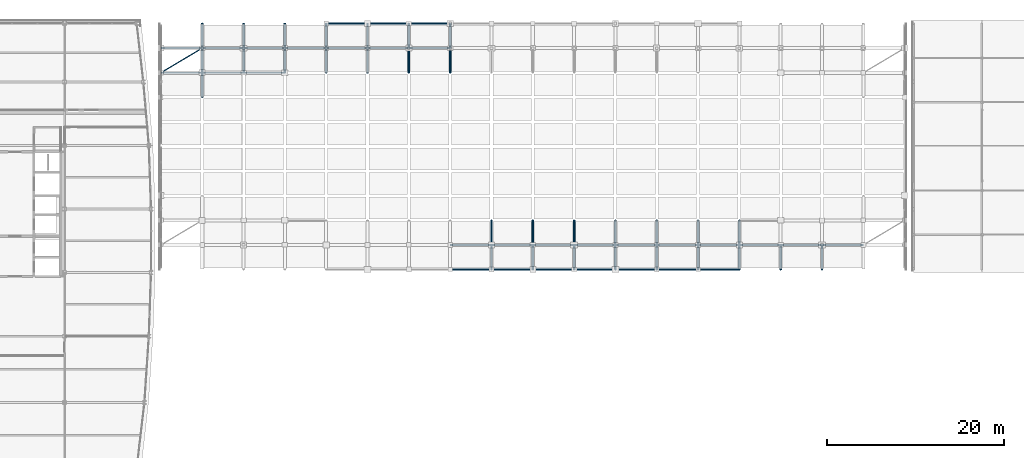
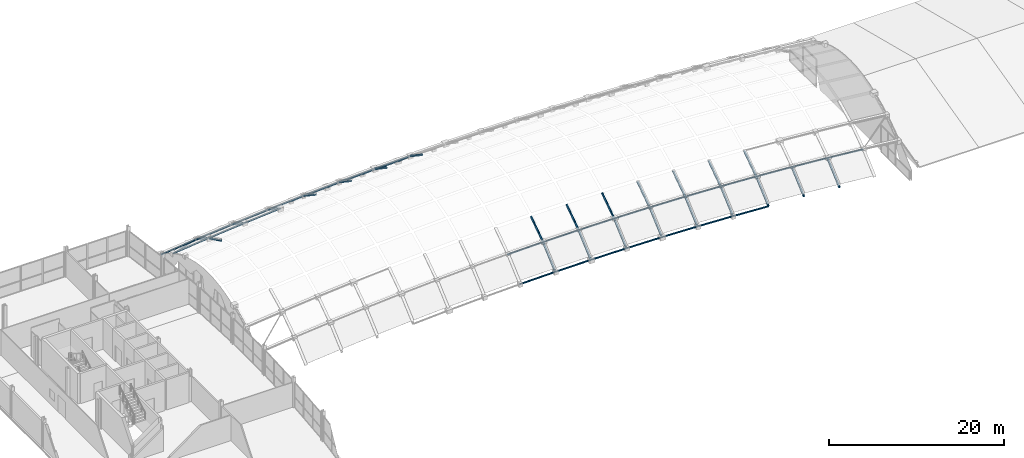
# One storey, part 27 of 65: 31 beams, 31 members.
"""IFC4 building model written with IfcOpenShell, lengths in metres."""

from ifc_helpers import new_model, si_unit, direction, frame, origin, origin_2d, place, context, subcontext, project, spatial, hollow_circle, extrude, material, material_profile, profile_set, type_object, element, save


model = new_model("IFC4")

# Units and contexts
model_context = context("Model", 3, precision=1e-05, world=origin(), true_north=direction((0.0, 1.0)))
body_context = subcontext(model_context, "Body", "Model", "MODEL_VIEW")
ifc_project = project(units=[si_unit("LENGTHUNIT", "METRE"), si_unit("AREAUNIT", "SQUARE_METRE"), si_unit("VOLUMEUNIT", "CUBIC_METRE"), si_unit("PLANEANGLEUNIT", "RADIAN"), si_unit("MASSUNIT", "GRAM", prefix="KILO")], contexts=[model_context])

# Site, building, storey
site_placement = place(None, origin())
site = spatial("IfcSite", under=ifc_project, at=site_placement, CompositionType="ELEMENT")
building_placement = place(site_placement, origin())
building = spatial("IfcBuilding", under=site, at=building_placement, Name="Quillay Park Conservatory", CompositionType="ELEMENT")
storey_placement = place(building_placement, frame((0.0, 0.0, 14.10009765625)))
storey = spatial("IfcBuildingStorey", under=building, at=storey_placement, Name="L03", CompositionType="ELEMENT", Elevation=14.10009765625)

# Beams
ifc_material_1 = material(Name="Steel S355J2H", Category="steel")
ifc_material_profile_1 = material_profile(ifc_material_1, hollow_circle(Radius=0.136474609375, WallThickness=0.012451171875, at=origin_2d()), Name="CHS273x12.5")
ifc_profile_set_1 = profile_set([ifc_material_profile_1], Name="Steel S355J2H")
beam_type = type_object("IfcBeamType", Name="GRIDSHELL ARCH BEAM CHS273", PredefinedType="USERDEFINED", material=ifc_profile_set_1)
beam_1_placement = place(storey_placement, frame((35.327880859375, 105.044921875, 4.586181640625), z_axis=(0.0, 0.903117900184, -0.429392662219), x_axis=(-1.0, 0.0, 0.0)))
element("IfcBeam", 1, at=beam_1_placement, inside=storey, type_object=beam_type, Name="Gridshell member GS-ARCH-01-07", ObjectType="GRIDSHELL ARCH BEAM", PredefinedType="USERDEFINED", context=body_context, shape_type="SweptSolid", body=[
    extrude(hollow_circle(Radius=0.136474609375, WallThickness=0.012451171875, at=origin_2d()), origin(), (0.0, 0.0, 1.0), 3.083984375),
])
beam_2_placement = place(storey_placement, frame((35.327880859375, 107.830078125, 3.261962890625), z_axis=(0.0, 0.831668729476, -0.555272117445), x_axis=(-1.0, 0.0, 0.0)))
element("IfcBeam", 2, at=beam_2_placement, inside=storey, type_object=beam_type, Name="Gridshell member GS-ARCH-01-08", ObjectType="GRIDSHELL ARCH BEAM", PredefinedType="USERDEFINED", context=body_context, shape_type="SweptSolid", body=[
    extrude(hollow_circle(Radius=0.136474609375, WallThickness=0.012451171875, at=origin_2d()), origin(), (0.0, 0.0, 1.0), 3.3486328125),
])
beam_3_placement = place(storey_placement, frame((35.327880859375, 110.614990234375, 1.402587890625), z_axis=(0.0, 0.757200503095, -0.653182515162), x_axis=(-1.0, 0.0, 0.0)))
element("IfcBeam", 3, at=beam_3_placement, inside=storey, type_object=beam_type, Name="Gridshell member GS-ARCH-01-09", ObjectType="GRIDSHELL ARCH BEAM", PredefinedType="USERDEFINED", context=body_context, shape_type="SweptSolid", body=[
    extrude(hollow_circle(Radius=0.136474609375, WallThickness=0.012451171875, at=origin_2d()), origin(), (0.0, 0.0, 1.0), 3.677978515625),
])
beam_4_placement = place(storey_placement, frame((40.005615234375, 107.830078125, 3.699462890625), z_axis=(0.0, 0.831668729476, -0.555272117445), x_axis=(-1.0, 0.0, 0.0)))
element("IfcBeam", 4, at=beam_4_placement, inside=storey, type_object=beam_type, Name="Gridshell member GS-ARCH-02-08", ObjectType="GRIDSHELL ARCH BEAM", PredefinedType="USERDEFINED", context=body_context, shape_type="SweptSolid", body=[
    extrude(hollow_circle(Radius=0.136474609375, WallThickness=0.012451171875, at=origin_2d()), origin(), (0.0, 0.0, 1.0), 3.3486328125),
])
beam_5_placement = place(storey_placement, frame((40.005615234375, 110.614990234375, 1.840087890625), z_axis=(0.0, 0.757200503095, -0.653182515162), x_axis=(-1.0, 0.0, 0.0)))
element("IfcBeam", 5, at=beam_5_placement, inside=storey, type_object=beam_type, Name="Gridshell member GS-ARCH-02-09", ObjectType="GRIDSHELL ARCH BEAM", PredefinedType="USERDEFINED", context=body_context, shape_type="SweptSolid", body=[
    extrude(hollow_circle(Radius=0.136474609375, WallThickness=0.012451171875, at=origin_2d()), origin(), (0.0, 0.0, 1.0), 3.677978515625),
])
beam_6_placement = place(storey_placement, frame((44.683349609375, 107.830078125, 4.078369140625), z_axis=(0.0, 0.831668729476, -0.555272117445), x_axis=(-1.0, 0.0, 0.0)))
element("IfcBeam", 6, at=beam_6_placement, inside=storey, type_object=beam_type, Name="Gridshell member GS-ARCH-03-08", ObjectType="GRIDSHELL ARCH BEAM", PredefinedType="USERDEFINED", context=body_context, shape_type="SweptSolid", body=[
    extrude(hollow_circle(Radius=0.136474609375, WallThickness=0.012451171875, at=origin_2d()), origin(), (0.0, 0.0, 1.0), 3.3486328125),
])
beam_7_placement = place(storey_placement, frame((44.683349609375, 110.614990234375, 2.218994140625), z_axis=(0.0, 0.757200503095, -0.653182515162), x_axis=(-1.0, 0.0, 0.0)))
element("IfcBeam", 7, at=beam_7_placement, inside=storey, type_object=beam_type, Name="Gridshell member GS-ARCH-03-09", ObjectType="GRIDSHELL ARCH BEAM", PredefinedType="USERDEFINED", context=body_context, shape_type="SweptSolid", body=[
    extrude(hollow_circle(Radius=0.136474609375, WallThickness=0.012451171875, at=origin_2d()), origin(), (0.0, 0.0, 1.0), 3.677978515625),
])
beam_8_placement = place(storey_placement, frame((49.361083984375, 107.830078125, 4.398681640625), z_axis=(0.0, 0.831668729476, -0.555272117445), x_axis=(-1.0, 0.0, 0.0)))
element("IfcBeam", 8, at=beam_8_placement, inside=storey, type_object=beam_type, Name="Gridshell member GS-ARCH-04-08", ObjectType="GRIDSHELL ARCH BEAM", PredefinedType="USERDEFINED", context=body_context, shape_type="SweptSolid", body=[
    extrude(hollow_circle(Radius=0.136474609375, WallThickness=0.012451171875, at=origin_2d()), origin(), (0.0, 0.0, 1.0), 3.3486328125),
])
beam_9_placement = place(storey_placement, frame((49.361083984375, 110.614990234375, 2.539306640625), z_axis=(0.0, 0.757200503095, -0.653182515162), x_axis=(-1.0, 0.0, 0.0)))
element("IfcBeam", 9, at=beam_9_placement, inside=storey, type_object=beam_type, Name="Gridshell member GS-ARCH-04-09", ObjectType="GRIDSHELL ARCH BEAM", PredefinedType="USERDEFINED", context=body_context, shape_type="SweptSolid", body=[
    extrude(hollow_circle(Radius=0.136474609375, WallThickness=0.012451171875, at=origin_2d()), origin(), (0.0, 0.0, 1.0), 3.677978515625),
])
beam_10_placement = place(storey_placement, frame((54.038818359375, 107.830078125, 4.660400390625), z_axis=(0.0, 0.831668729476, -0.555272117445), x_axis=(-1.0, 0.0, 0.0)))
element("IfcBeam", 10, at=beam_10_placement, inside=storey, type_object=beam_type, Name="Gridshell member GS-ARCH-05-08", ObjectType="GRIDSHELL ARCH BEAM", PredefinedType="USERDEFINED", context=body_context, shape_type="SweptSolid", body=[
    extrude(hollow_circle(Radius=0.136474609375, WallThickness=0.012451171875, at=origin_2d()), origin(), (0.0, 0.0, 1.0), 3.3486328125),
])
beam_11_placement = place(storey_placement, frame((54.038818359375, 110.614990234375, 2.801025390625), z_axis=(0.0, 0.757200503095, -0.653182515162), x_axis=(-1.0, 0.0, 0.0)))
element("IfcBeam", 11, at=beam_11_placement, inside=storey, type_object=beam_type, Name="Gridshell member GS-ARCH-05-09", ObjectType="GRIDSHELL ARCH BEAM", PredefinedType="USERDEFINED", context=body_context, shape_type="SweptSolid", body=[
    extrude(hollow_circle(Radius=0.136474609375, WallThickness=0.012451171875, at=origin_2d()), origin(), (0.0, 0.0, 1.0), 3.677978515625),
])
beam_12_placement = place(storey_placement, frame((58.716796875, 107.830078125, 4.863525390625), z_axis=(0.0, 0.831668729476, -0.555272117445), x_axis=(-1.0, 0.0, 0.0)))
element("IfcBeam", 12, at=beam_12_placement, inside=storey, type_object=beam_type, Name="Gridshell member GS-ARCH-06-08", ObjectType="GRIDSHELL ARCH BEAM", PredefinedType="USERDEFINED", context=body_context, shape_type="SweptSolid", body=[
    extrude(hollow_circle(Radius=0.136474609375, WallThickness=0.012451171875, at=origin_2d()), origin(), (0.0, 0.0, 1.0), 3.3486328125),
])
beam_13_placement = place(storey_placement, frame((58.716796875, 110.614990234375, 3.004150390625), z_axis=(0.0, 0.757200503095, -0.653182515162), x_axis=(-1.0, 0.0, 0.0)))
element("IfcBeam", 13, at=beam_13_placement, inside=storey, type_object=beam_type, Name="Gridshell member GS-ARCH-06-09", ObjectType="GRIDSHELL ARCH BEAM", PredefinedType="USERDEFINED", context=body_context, shape_type="SweptSolid", body=[
    extrude(hollow_circle(Radius=0.136474609375, WallThickness=0.012451171875, at=origin_2d()), origin(), (0.0, 0.0, 1.0), 3.677978515625),
])
beam_14_placement = place(storey_placement, frame((63.394287109375, 107.830078125, 5.011962890625), z_axis=(0.0, 0.831668729476, -0.555272117445), x_axis=(-1.0, 0.0, 0.0)))
element("IfcBeam", 14, at=beam_14_placement, inside=storey, type_object=beam_type, Name="Gridshell member GS-ARCH-07-08", ObjectType="GRIDSHELL ARCH BEAM", PredefinedType="USERDEFINED", context=body_context, shape_type="SweptSolid", body=[
    extrude(hollow_circle(Radius=0.136474609375, WallThickness=0.012451171875, at=origin_2d()), origin(), (0.0, 0.0, 1.0), 3.3486328125),
])
beam_15_placement = place(storey_placement, frame((63.394287109375, 110.614990234375, 3.152587890625), z_axis=(0.0, 0.757200503095, -0.653182515162), x_axis=(-1.0, 0.0, 0.0)))
element("IfcBeam", 15, at=beam_15_placement, inside=storey, type_object=beam_type, Name="Gridshell member GS-ARCH-07-09", ObjectType="GRIDSHELL ARCH BEAM", PredefinedType="USERDEFINED", context=body_context, shape_type="SweptSolid", body=[
    extrude(hollow_circle(Radius=0.136474609375, WallThickness=0.012451171875, at=origin_2d()), origin(), (0.0, 0.0, 1.0), 3.677978515625),
])
beam_16_placement = place(storey_placement, frame((68.072265625, 85.550048828125, 0.597900390625), z_axis=(0.0, 0.751437038609, 0.659804802201), x_axis=(-1.0, 0.0, 0.0)))
element("IfcBeam", 16, at=beam_16_placement, inside=storey, type_object=beam_type, Name="Gridshell member GS-ARCH-08-00", ObjectType="GRIDSHELL ARCH BEAM", PredefinedType="USERDEFINED", context=body_context, shape_type="SweptSolid", body=[
    extrude(hollow_circle(Radius=0.136474609375, WallThickness=0.012451171875, at=origin_2d()), origin(), (0.0, 0.0, 1.0), 3.7060546875),
])
beam_17_placement = place(storey_placement, frame((68.072265625, 88.3349609375, 3.043212890625), z_axis=(0.0, 0.824682609274, 0.565595786725), x_axis=(-1.0, 0.0, 0.0)))
element("IfcBeam", 17, at=beam_17_placement, inside=storey, type_object=beam_type, Name="Gridshell member GS-ARCH-08-01", ObjectType="GRIDSHELL ARCH BEAM", PredefinedType="USERDEFINED", context=body_context, shape_type="SweptSolid", body=[
    extrude(hollow_circle(Radius=0.136474609375, WallThickness=0.012451171875, at=origin_2d()), origin(), (0.0, 0.0, 1.0), 3.377197265625),
])
beam_18_placement = place(storey_placement, frame((72.75, 85.550048828125, 0.629150390625), z_axis=(0.0, 0.751437038609, 0.659804802201), x_axis=(-1.0, 0.0, 0.0)))
element("IfcBeam", 18, at=beam_18_placement, inside=storey, type_object=beam_type, Name="Gridshell member GS-ARCH-09-00", ObjectType="GRIDSHELL ARCH BEAM", PredefinedType="USERDEFINED", context=body_context, shape_type="SweptSolid", body=[
    extrude(hollow_circle(Radius=0.136474609375, WallThickness=0.012451171875, at=origin_2d()), origin(), (0.0, 0.0, 1.0), 3.7060546875),
])
beam_19_placement = place(storey_placement, frame((72.75, 88.3349609375, 3.074462890625), z_axis=(0.0, 0.824682609274, 0.565595786725), x_axis=(-1.0, 0.0, 0.0)))
element("IfcBeam", 19, at=beam_19_placement, inside=storey, type_object=beam_type, Name="Gridshell member GS-ARCH-09-01", ObjectType="GRIDSHELL ARCH BEAM", PredefinedType="USERDEFINED", context=body_context, shape_type="SweptSolid", body=[
    extrude(hollow_circle(Radius=0.136474609375, WallThickness=0.012451171875, at=origin_2d()), origin(), (0.0, 0.0, 1.0), 3.377197265625),
])
beam_20_placement = place(storey_placement, frame((77.427734375, 85.550048828125, 0.597900390625), z_axis=(0.0, 0.751437038609, 0.659804802201), x_axis=(-1.0, 0.0, 0.0)))
element("IfcBeam", 20, at=beam_20_placement, inside=storey, type_object=beam_type, Name="Gridshell member GS-ARCH-10-00", ObjectType="GRIDSHELL ARCH BEAM", PredefinedType="USERDEFINED", context=body_context, shape_type="SweptSolid", body=[
    extrude(hollow_circle(Radius=0.136474609375, WallThickness=0.012451171875, at=origin_2d()), origin(), (0.0, 0.0, 1.0), 3.7060546875),
])
beam_21_placement = place(storey_placement, frame((77.427734375, 88.3349609375, 3.043212890625), z_axis=(0.0, 0.824682609274, 0.565595786725), x_axis=(-1.0, 0.0, 0.0)))
element("IfcBeam", 21, at=beam_21_placement, inside=storey, type_object=beam_type, Name="Gridshell member GS-ARCH-10-01", ObjectType="GRIDSHELL ARCH BEAM", PredefinedType="USERDEFINED", context=body_context, shape_type="SweptSolid", body=[
    extrude(hollow_circle(Radius=0.136474609375, WallThickness=0.012451171875, at=origin_2d()), origin(), (0.0, 0.0, 1.0), 3.377197265625),
])
beam_22_placement = place(storey_placement, frame((82.105712890625, 85.550048828125, 0.511962890625), z_axis=(0.0, 0.751437038609, 0.659804802201), x_axis=(-1.0, 0.0, 0.0)))
element("IfcBeam", 22, at=beam_22_placement, inside=storey, type_object=beam_type, Name="Gridshell member GS-ARCH-11-00", ObjectType="GRIDSHELL ARCH BEAM", PredefinedType="USERDEFINED", context=body_context, shape_type="SweptSolid", body=[
    extrude(hollow_circle(Radius=0.136474609375, WallThickness=0.012451171875, at=origin_2d()), origin(), (0.0, 0.0, 1.0), 3.7060546875),
])
beam_23_placement = place(storey_placement, frame((82.105712890625, 88.3349609375, 2.957275390625), z_axis=(0.0, 0.824682609274, 0.565595786725), x_axis=(-1.0, 0.0, 0.0)))
element("IfcBeam", 23, at=beam_23_placement, inside=storey, type_object=beam_type, Name="Gridshell member GS-ARCH-11-01", ObjectType="GRIDSHELL ARCH BEAM", PredefinedType="USERDEFINED", context=body_context, shape_type="SweptSolid", body=[
    extrude(hollow_circle(Radius=0.136474609375, WallThickness=0.012451171875, at=origin_2d()), origin(), (0.0, 0.0, 1.0), 3.377197265625),
])
beam_24_placement = place(storey_placement, frame((86.783203125, 85.550048828125, 0.363525390625), z_axis=(0.0, 0.751437038609, 0.659804802201), x_axis=(-1.0, 0.0, 0.0)))
element("IfcBeam", 24, at=beam_24_placement, inside=storey, type_object=beam_type, Name="Gridshell member GS-ARCH-12-00", ObjectType="GRIDSHELL ARCH BEAM", PredefinedType="USERDEFINED", context=body_context, shape_type="SweptSolid", body=[
    extrude(hollow_circle(Radius=0.136474609375, WallThickness=0.012451171875, at=origin_2d()), origin(), (0.0, 0.0, 1.0), 3.7060546875),
])
beam_25_placement = place(storey_placement, frame((86.783203125, 88.3349609375, 2.808837890625), z_axis=(0.0, 0.824682609274, 0.565595786725), x_axis=(-1.0, 0.0, 0.0)))
element("IfcBeam", 25, at=beam_25_placement, inside=storey, type_object=beam_type, Name="Gridshell member GS-ARCH-12-01", ObjectType="GRIDSHELL ARCH BEAM", PredefinedType="USERDEFINED", context=body_context, shape_type="SweptSolid", body=[
    extrude(hollow_circle(Radius=0.136474609375, WallThickness=0.012451171875, at=origin_2d()), origin(), (0.0, 0.0, 1.0), 3.377197265625),
])
beam_26_placement = place(storey_placement, frame((91.461181640625, 85.550048828125, 0.160400390625), z_axis=(0.0, 0.751437038609, 0.659804802201), x_axis=(-1.0, 0.0, 0.0)))
element("IfcBeam", 26, at=beam_26_placement, inside=storey, type_object=beam_type, Name="Gridshell member GS-ARCH-13-00", ObjectType="GRIDSHELL ARCH BEAM", PredefinedType="USERDEFINED", context=body_context, shape_type="SweptSolid", body=[
    extrude(hollow_circle(Radius=0.136474609375, WallThickness=0.012451171875, at=origin_2d()), origin(), (0.0, 0.0, 1.0), 3.7060546875),
])
beam_27_placement = place(storey_placement, frame((91.461181640625, 88.3349609375, 2.605712890625), z_axis=(0.0, 0.824682609274, 0.565595786725), x_axis=(-1.0, 0.0, 0.0)))
element("IfcBeam", 27, at=beam_27_placement, inside=storey, type_object=beam_type, Name="Gridshell member GS-ARCH-13-01", ObjectType="GRIDSHELL ARCH BEAM", PredefinedType="USERDEFINED", context=body_context, shape_type="SweptSolid", body=[
    extrude(hollow_circle(Radius=0.136474609375, WallThickness=0.012451171875, at=origin_2d()), origin(), (0.0, 0.0, 1.0), 3.377197265625),
])
beam_28_placement = place(storey_placement, frame((96.138916015625, 85.550048828125, -0.101318359375), z_axis=(0.0, 0.751437038609, 0.659804802201), x_axis=(-1.0, 0.0, 0.0)))
element("IfcBeam", 28, at=beam_28_placement, inside=storey, type_object=beam_type, Name="Gridshell member GS-ARCH-14-00", ObjectType="GRIDSHELL ARCH BEAM", PredefinedType="USERDEFINED", context=body_context, shape_type="SweptSolid", body=[
    extrude(hollow_circle(Radius=0.136474609375, WallThickness=0.012451171875, at=origin_2d()), origin(), (0.0, 0.0, 1.0), 3.7060546875),
])
beam_29_placement = place(storey_placement, frame((96.138916015625, 88.3349609375, 2.343994140625), z_axis=(0.0, 0.824682609274, 0.565595786725), x_axis=(-1.0, 0.0, 0.0)))
element("IfcBeam", 29, at=beam_29_placement, inside=storey, type_object=beam_type, Name="Gridshell member GS-ARCH-14-01", ObjectType="GRIDSHELL ARCH BEAM", PredefinedType="USERDEFINED", context=body_context, shape_type="SweptSolid", body=[
    extrude(hollow_circle(Radius=0.136474609375, WallThickness=0.012451171875, at=origin_2d()), origin(), (0.0, 0.0, 1.0), 3.377197265625),
])
for number, where, z_axis, x_axis, name in (
    (30, (100.816650390625, 85.550048828125, -0.421630859375), (0.0, 0.751437038609, 0.659804802201), (-1.0, 0.0, 0.0), "Gridshell member GS-ARCH-15-00"),
    (31, (105.494384765625, 85.550048828125, -0.800537109375), (0.0, 0.751437038609, 0.659804802201), (-1.0, 0.0, 0.0), "Gridshell member GS-ARCH-16-00"),
):
    element("IfcBeam", number, at=place(storey_placement, frame(where, z_axis=z_axis, x_axis=x_axis)), inside=storey, type_object=beam_type, Name=name, ObjectType="GRIDSHELL ARCH BEAM", PredefinedType="USERDEFINED", context=body_context, shape_type="SweptSolid", body=[
        extrude(hollow_circle(Radius=0.136474609375, WallThickness=0.012451171875, at=origin_2d()), origin(), (0.0, 0.0, 1.0), 3.7060546875),
    ])

# Members
ifc_material_2 = material(Name="Steel S355J2H", Category="steel")
ifc_material_profile_2 = material_profile(ifc_material_2, hollow_circle(Radius=0.109619140625, WallThickness=0.010009765625, at=origin_2d()), Name="CHS219.1x10")
ifc_profile_set_2 = profile_set([ifc_material_profile_2], Name="Steel S355J2H")
member_type_1 = type_object("IfcMemberType", Name="GRIDSHELL ARCH RIB CHS219", PredefinedType="USERDEFINED", material=ifc_profile_set_2)
member_1_placement = place(storey_placement, frame((63.394287109375, 85.550048828125, 0.511962890625), z_axis=(0.999831302331, 0.0, 0.018367549628), x_axis=(0.0, 1.0, 0.0)))
element("IfcMember", 32, at=member_1_placement, inside=storey, type_object=member_type_1, Name="Gridshell member GS-RIB-07-00", ObjectType="GRIDSHELL ARCH RIB", PredefinedType="USERDEFINED", context=body_context, shape_type="SweptSolid", body=[
    extrude(hollow_circle(Radius=0.109619140625, WallThickness=0.010009765625, at=origin_2d()), origin(), (0.0, 0.0, 1.0), 4.6787109375),
])
for number, where, z_axis, x_axis, name in (
    (33, (68.072265625, 85.550048828125, 0.597900390625), (0.999977685642, 0.0, 0.006680435478), (0.0, 1.0, 0.0), "Gridshell member GS-RIB-08-00"),
    (34, (72.75, 85.550048828125, 0.629150390625), (0.999977685642, 0.0, -0.006680435478), (0.0, 1.0, 0.0), "Gridshell member GS-RIB-09-00"),
):
    element("IfcMember", number, at=place(storey_placement, frame(where, z_axis=z_axis, x_axis=x_axis)), inside=storey, type_object=member_type_1, Name=name, ObjectType="GRIDSHELL ARCH RIB", PredefinedType="USERDEFINED", context=body_context, shape_type="SweptSolid", body=[
        extrude(hollow_circle(Radius=0.109619140625, WallThickness=0.010009765625, at=origin_2d()), origin(), (0.0, 0.0, 1.0), 4.677734375),
    ])
member_2_placement = place(storey_placement, frame((77.427734375, 85.550048828125, 0.597900390625), z_axis=(0.999831302331, 0.0, -0.018367549628), x_axis=(0.0, 1.0, 0.0)))
element("IfcMember", 35, at=member_2_placement, inside=storey, type_object=member_type_1, Name="Gridshell member GS-RIB-10-00", ObjectType="GRIDSHELL ARCH RIB", PredefinedType="USERDEFINED", context=body_context, shape_type="SweptSolid", body=[
    extrude(hollow_circle(Radius=0.109619140625, WallThickness=0.010009765625, at=origin_2d()), origin(), (0.0, 0.0, 1.0), 4.6787109375),
])
member_3_placement = place(storey_placement, frame((82.105712890625, 85.550048828125, 0.511962890625), z_axis=(0.99949684289, 0.0, -0.031718465498), x_axis=(0.0, 1.0, 0.0)))
element("IfcMember", 36, at=member_3_placement, inside=storey, type_object=member_type_1, Name="Gridshell member GS-RIB-11-00", ObjectType="GRIDSHELL ARCH RIB", PredefinedType="USERDEFINED", context=body_context, shape_type="SweptSolid", body=[
    extrude(hollow_circle(Radius=0.109619140625, WallThickness=0.010009765625, at=origin_2d()), origin(), (0.0, 0.0, 1.0), 4.679931640625),
])
member_4_placement = place(storey_placement, frame((86.783203125, 85.550048828125, 0.363525390625), z_axis=(0.999058616198, 0.0, -0.043380656995), x_axis=(0.0, 1.0, 0.0)))
element("IfcMember", 37, at=member_4_placement, inside=storey, type_object=member_type_1, Name="Gridshell member GS-RIB-12-00", ObjectType="GRIDSHELL ARCH RIB", PredefinedType="USERDEFINED", context=body_context, shape_type="SweptSolid", body=[
    extrude(hollow_circle(Radius=0.109619140625, WallThickness=0.010009765625, at=origin_2d()), origin(), (0.0, 0.0, 1.0), 4.682373046875),
])
member_5_placement = place(storey_placement, frame((91.461181640625, 85.550048828125, 0.160400390625), z_axis=(0.998438469785, 0.0, -0.055862528163), x_axis=(0.0, 1.0, 0.0)))
element("IfcMember", 38, at=member_5_placement, inside=storey, type_object=member_type_1, Name="Gridshell member GS-RIB-13-00", ObjectType="GRIDSHELL ARCH RIB", PredefinedType="USERDEFINED", context=body_context, shape_type="SweptSolid", body=[
    extrude(hollow_circle(Radius=0.109619140625, WallThickness=0.010009765625, at=origin_2d()), origin(), (0.0, 0.0, 1.0), 4.68505859375),
])
member_6_placement = place(storey_placement, frame((63.394287109375, 88.3349609375, 2.957275390625), z_axis=(0.999831302331, 0.0, 0.018367549628), x_axis=(0.0, 1.0, 0.0)))
element("IfcMember", 39, at=member_6_placement, inside=storey, type_object=member_type_1, Name="Gridshell member GS-RIB-07-01", ObjectType="GRIDSHELL ARCH RIB", PredefinedType="USERDEFINED", context=body_context, shape_type="SweptSolid", body=[
    extrude(hollow_circle(Radius=0.109619140625, WallThickness=0.010009765625, at=origin_2d()), origin(), (0.0, 0.0, 1.0), 4.6787109375),
])
for number, where, z_axis, x_axis, name in (
    (40, (68.072265625, 88.3349609375, 3.043212890625), (0.999977685642, 0.0, 0.006680435478), (0.0, 1.0, 0.0), "Gridshell member GS-RIB-08-01"),
    (41, (72.75, 88.3349609375, 3.074462890625), (0.999977685642, 0.0, -0.006680435478), (0.0, 1.0, 0.0), "Gridshell member GS-RIB-09-01"),
):
    element("IfcMember", number, at=place(storey_placement, frame(where, z_axis=z_axis, x_axis=x_axis)), inside=storey, type_object=member_type_1, Name=name, ObjectType="GRIDSHELL ARCH RIB", PredefinedType="USERDEFINED", context=body_context, shape_type="SweptSolid", body=[
        extrude(hollow_circle(Radius=0.109619140625, WallThickness=0.010009765625, at=origin_2d()), origin(), (0.0, 0.0, 1.0), 4.677734375),
    ])
member_7_placement = place(storey_placement, frame((77.427734375, 88.3349609375, 3.043212890625), z_axis=(0.999831302331, 0.0, -0.018367549628), x_axis=(0.0, 1.0, 0.0)))
element("IfcMember", 42, at=member_7_placement, inside=storey, type_object=member_type_1, Name="Gridshell member GS-RIB-10-01", ObjectType="GRIDSHELL ARCH RIB", PredefinedType="USERDEFINED", context=body_context, shape_type="SweptSolid", body=[
    extrude(hollow_circle(Radius=0.109619140625, WallThickness=0.010009765625, at=origin_2d()), origin(), (0.0, 0.0, 1.0), 4.6787109375),
])
member_8_placement = place(storey_placement, frame((82.105712890625, 88.3349609375, 2.957275390625), z_axis=(0.99949684289, 0.0, -0.031718465498), x_axis=(0.0, 1.0, 0.0)))
element("IfcMember", 43, at=member_8_placement, inside=storey, type_object=member_type_1, Name="Gridshell member GS-RIB-11-01", ObjectType="GRIDSHELL ARCH RIB", PredefinedType="USERDEFINED", context=body_context, shape_type="SweptSolid", body=[
    extrude(hollow_circle(Radius=0.109619140625, WallThickness=0.010009765625, at=origin_2d()), origin(), (0.0, 0.0, 1.0), 4.679931640625),
])
member_9_placement = place(storey_placement, frame((86.783203125, 88.3349609375, 2.808837890625), z_axis=(0.999058616198, 0.0, -0.043380656995), x_axis=(0.0, 1.0, 0.0)))
element("IfcMember", 44, at=member_9_placement, inside=storey, type_object=member_type_1, Name="Gridshell member GS-RIB-12-01", ObjectType="GRIDSHELL ARCH RIB", PredefinedType="USERDEFINED", context=body_context, shape_type="SweptSolid", body=[
    extrude(hollow_circle(Radius=0.109619140625, WallThickness=0.010009765625, at=origin_2d()), origin(), (0.0, 0.0, 1.0), 4.682373046875),
])
member_10_placement = place(storey_placement, frame((91.461181640625, 88.3349609375, 2.605712890625), z_axis=(0.998438469785, 0.0, -0.055862528163), x_axis=(0.0, 1.0, 0.0)))
element("IfcMember", 45, at=member_10_placement, inside=storey, type_object=member_type_1, Name="Gridshell member GS-RIB-13-01", ObjectType="GRIDSHELL ARCH RIB", PredefinedType="USERDEFINED", context=body_context, shape_type="SweptSolid", body=[
    extrude(hollow_circle(Radius=0.109619140625, WallThickness=0.010009765625, at=origin_2d()), origin(), (0.0, 0.0, 1.0), 4.68505859375),
])
member_11_placement = place(storey_placement, frame((96.138916015625, 88.3349609375, 2.343994140625), z_axis=(0.997663732084, 0.0, -0.068316013387), x_axis=(0.0, 1.0, 0.0)))
element("IfcMember", 46, at=member_11_placement, inside=storey, type_object=member_type_1, Name="Gridshell member GS-RIB-14-01", ObjectType="GRIDSHELL ARCH RIB", PredefinedType="USERDEFINED", context=body_context, shape_type="SweptSolid", body=[
    extrude(hollow_circle(Radius=0.109619140625, WallThickness=0.010009765625, at=origin_2d()), origin(), (0.0, 0.0, 1.0), 4.688720703125),
])
member_12_placement = place(storey_placement, frame((100.816650390625, 88.3349609375, 2.023681640625), z_axis=(0.996735387311, 0.0, -0.080737647239), x_axis=(0.0, 1.0, 0.0)))
element("IfcMember", 47, at=member_12_placement, inside=storey, type_object=member_type_1, Name="Gridshell member GS-RIB-15-01", ObjectType="GRIDSHELL ARCH RIB", PredefinedType="USERDEFINED", context=body_context, shape_type="SweptSolid", body=[
    extrude(hollow_circle(Radius=0.109619140625, WallThickness=0.010009765625, at=origin_2d()), origin(), (0.0, 0.0, 1.0), 4.693115234375),
])
member_13_placement = place(storey_placement, frame((105.494384765625, 88.3349609375, 1.644775390625), z_axis=(0.995654726514, 0.0, -0.093121778179), x_axis=(0.0, 1.0, 0.0)))
element("IfcMember", 48, at=member_13_placement, inside=storey, type_object=member_type_1, Name="Gridshell member GS-RIB-16-01", ObjectType="GRIDSHELL ARCH RIB", PredefinedType="USERDEFINED", context=body_context, shape_type="SweptSolid", body=[
    extrude(hollow_circle(Radius=0.109619140625, WallThickness=0.010009765625, at=origin_2d()), origin(), (0.0, 0.0, 1.0), 4.6982421875),
])
member_14_placement = place(storey_placement, frame((30.64990234375, 107.830078125, 2.765869140625), z_axis=(0.994423821707, 0.0, 0.105457398137), x_axis=(0.0, 1.0, 0.0)))
element("IfcMember", 49, at=member_14_placement, inside=storey, type_object=member_type_1, Name="Gridshell member GS-RIB-00-08", ObjectType="GRIDSHELL ARCH RIB", PredefinedType="USERDEFINED", context=body_context, shape_type="SweptSolid", body=[
    extrude(hollow_circle(Radius=0.109619140625, WallThickness=0.010009765625, at=origin_2d()), origin(), (0.0, 0.0, 1.0), 4.7041015625),
])
member_15_placement = place(storey_placement, frame((35.327880859375, 107.830078125, 3.261962890625), z_axis=(0.995654726514, 0.0, 0.093121778179), x_axis=(0.0, 1.0, 0.0)))
element("IfcMember", 50, at=member_15_placement, inside=storey, type_object=member_type_1, Name="Gridshell member GS-RIB-01-08", ObjectType="GRIDSHELL ARCH RIB", PredefinedType="USERDEFINED", context=body_context, shape_type="SweptSolid", body=[
    extrude(hollow_circle(Radius=0.109619140625, WallThickness=0.010009765625, at=origin_2d()), origin(), (0.0, 0.0, 1.0), 4.6982421875),
])
member_16_placement = place(storey_placement, frame((40.005615234375, 107.830078125, 3.699462890625), z_axis=(0.996735387311, 0.0, 0.080737647239), x_axis=(0.0, 1.0, 0.0)))
element("IfcMember", 51, at=member_16_placement, inside=storey, type_object=member_type_1, Name="Gridshell member GS-RIB-02-08", ObjectType="GRIDSHELL ARCH RIB", PredefinedType="USERDEFINED", context=body_context, shape_type="SweptSolid", body=[
    extrude(hollow_circle(Radius=0.109619140625, WallThickness=0.010009765625, at=origin_2d()), origin(), (0.0, 0.0, 1.0), 4.693115234375),
])
member_17_placement = place(storey_placement, frame((30.64990234375, 110.614990234375, 0.906494140625), z_axis=(0.994423821707, 0.0, 0.105457398137), x_axis=(0.0, 1.0, 0.0)))
element("IfcMember", 52, at=member_17_placement, inside=storey, type_object=member_type_1, Name="Gridshell member GS-RIB-00-09", ObjectType="GRIDSHELL ARCH RIB", PredefinedType="USERDEFINED", context=body_context, shape_type="SweptSolid", body=[
    extrude(hollow_circle(Radius=0.109619140625, WallThickness=0.010009765625, at=origin_2d()), origin(), (0.0, 0.0, 1.0), 4.7041015625),
])
member_18_placement = place(storey_placement, frame((35.327880859375, 110.614990234375, 1.402587890625), z_axis=(0.995654726514, 0.0, 0.093121778179), x_axis=(0.0, 1.0, 0.0)))
element("IfcMember", 53, at=member_18_placement, inside=storey, type_object=member_type_1, Name="Gridshell member GS-RIB-01-09", ObjectType="GRIDSHELL ARCH RIB", PredefinedType="USERDEFINED", context=body_context, shape_type="SweptSolid", body=[
    extrude(hollow_circle(Radius=0.109619140625, WallThickness=0.010009765625, at=origin_2d()), origin(), (0.0, 0.0, 1.0), 4.6982421875),
])
member_19_placement = place(storey_placement, frame((40.005615234375, 110.614990234375, 1.840087890625), z_axis=(0.996735387311, 0.0, 0.080737647239), x_axis=(0.0, 1.0, 0.0)))
element("IfcMember", 54, at=member_19_placement, inside=storey, type_object=member_type_1, Name="Gridshell member GS-RIB-02-09", ObjectType="GRIDSHELL ARCH RIB", PredefinedType="USERDEFINED", context=body_context, shape_type="SweptSolid", body=[
    extrude(hollow_circle(Radius=0.109619140625, WallThickness=0.010009765625, at=origin_2d()), origin(), (0.0, 0.0, 1.0), 4.693115234375),
])
member_20_placement = place(storey_placement, frame((44.683349609375, 110.614990234375, 2.218994140625), z_axis=(0.997663732084, 0.0, 0.068316013387), x_axis=(0.0, 1.0, 0.0)))
element("IfcMember", 55, at=member_20_placement, inside=storey, type_object=member_type_1, Name="Gridshell member GS-RIB-03-09", ObjectType="GRIDSHELL ARCH RIB", PredefinedType="USERDEFINED", context=body_context, shape_type="SweptSolid", body=[
    extrude(hollow_circle(Radius=0.109619140625, WallThickness=0.010009765625, at=origin_2d()), origin(), (0.0, 0.0, 1.0), 4.688720703125),
])
member_21_placement = place(storey_placement, frame((49.361083984375, 110.614990234375, 2.539306640625), z_axis=(0.998438469785, 0.0, 0.055862528163), x_axis=(0.0, 1.0, 0.0)))
element("IfcMember", 56, at=member_21_placement, inside=storey, type_object=member_type_1, Name="Gridshell member GS-RIB-04-09", ObjectType="GRIDSHELL ARCH RIB", PredefinedType="USERDEFINED", context=body_context, shape_type="SweptSolid", body=[
    extrude(hollow_circle(Radius=0.109619140625, WallThickness=0.010009765625, at=origin_2d()), origin(), (0.0, 0.0, 1.0), 4.68505859375),
])
member_22_placement = place(storey_placement, frame((54.038818359375, 110.614990234375, 2.801025390625), z_axis=(0.999058616198, 0.0, 0.043380656995), x_axis=(0.0, 1.0, 0.0)))
element("IfcMember", 57, at=member_22_placement, inside=storey, type_object=member_type_1, Name="Gridshell member GS-RIB-05-09", ObjectType="GRIDSHELL ARCH RIB", PredefinedType="USERDEFINED", context=body_context, shape_type="SweptSolid", body=[
    extrude(hollow_circle(Radius=0.109619140625, WallThickness=0.010009765625, at=origin_2d()), origin(), (0.0, 0.0, 1.0), 4.682373046875),
])
member_23_placement = place(storey_placement, frame((58.716796875, 110.614990234375, 3.004150390625), z_axis=(0.99949684289, 0.0, 0.031718465498), x_axis=(0.0, 1.0, 0.0)))
element("IfcMember", 58, at=member_23_placement, inside=storey, type_object=member_type_1, Name="Gridshell member GS-RIB-06-09", ObjectType="GRIDSHELL ARCH RIB", PredefinedType="USERDEFINED", context=body_context, shape_type="SweptSolid", body=[
    extrude(hollow_circle(Radius=0.109619140625, WallThickness=0.010009765625, at=origin_2d()), origin(), (0.0, 0.0, 1.0), 4.679931640625),
])
member_24_placement = place(storey_placement, frame((49.361083984375, 113.39990234375, 0.136962890625), z_axis=(0.998438469785, 0.0, 0.055862528163), x_axis=(0.0, 1.0, 0.0)))
element("IfcMember", 59, at=member_24_placement, inside=storey, type_object=member_type_1, Name="Gridshell member GS-RIB-04-10", ObjectType="GRIDSHELL ARCH RIB", PredefinedType="USERDEFINED", context=body_context, shape_type="SweptSolid", body=[
    extrude(hollow_circle(Radius=0.109619140625, WallThickness=0.010009765625, at=origin_2d()), origin(), (0.0, 0.0, 1.0), 4.68505859375),
])
member_25_placement = place(storey_placement, frame((54.038818359375, 113.39990234375, 0.398681640625), z_axis=(0.999058616198, 0.0, 0.043380656995), x_axis=(0.0, 1.0, 0.0)))
element("IfcMember", 60, at=member_25_placement, inside=storey, type_object=member_type_1, Name="Gridshell member GS-RIB-05-10", ObjectType="GRIDSHELL ARCH RIB", PredefinedType="USERDEFINED", context=body_context, shape_type="SweptSolid", body=[
    extrude(hollow_circle(Radius=0.109619140625, WallThickness=0.010009765625, at=origin_2d()), origin(), (0.0, 0.0, 1.0), 4.682373046875),
])
member_26_placement = place(storey_placement, frame((58.716796875, 113.39990234375, 0.601806640625), z_axis=(0.99949684289, 0.0, 0.031718465498), x_axis=(0.0, 1.0, 0.0)))
element("IfcMember", 61, at=member_26_placement, inside=storey, type_object=member_type_1, Name="Gridshell member GS-RIB-06-10", ObjectType="GRIDSHELL ARCH RIB", PredefinedType="USERDEFINED", context=body_context, shape_type="SweptSolid", body=[
    extrude(hollow_circle(Radius=0.109619140625, WallThickness=0.010009765625, at=origin_2d()), origin(), (0.0, 0.0, 1.0), 4.679931640625),
])
ifc_material_3 = material(Name="Steel S355J2H", Category="steel")
ifc_material_profile_3 = material_profile(ifc_material_3, hollow_circle(Radius=0.06982421875, WallThickness=0.00634765625, at=origin_2d()), Name="CHS139.7x6.3")
ifc_profile_set_3 = profile_set([ifc_material_profile_3], Name="Steel S355J2H")
member_type_2 = type_object("IfcMemberType", Name="GRIDSHELL DIAGRID BRACE CHS140", PredefinedType="BRACE", material=ifc_profile_set_3)
member_27_placement = place(storey_placement, frame((30.64990234375, 107.830078125, 2.765869140625), z_axis=(0.833524611967, 0.496217068457, -0.242910152561), x_axis=(-0.511538257491, 0.85926050248, 0.0)))
element("IfcMember", 62, at=member_27_placement, inside=storey, type_object=member_type_2, Name="Gridshell member GS-DIAG-00-08", PredefinedType="BRACE", context=body_context, shape_type="SweptSolid", body=[
    extrude(hollow_circle(Radius=0.06982421875, WallThickness=0.00634765625, at=origin_2d()), origin(), (0.0, 0.0, 1.0), 5.6123046875),
])

save(model, "model.ifc")
